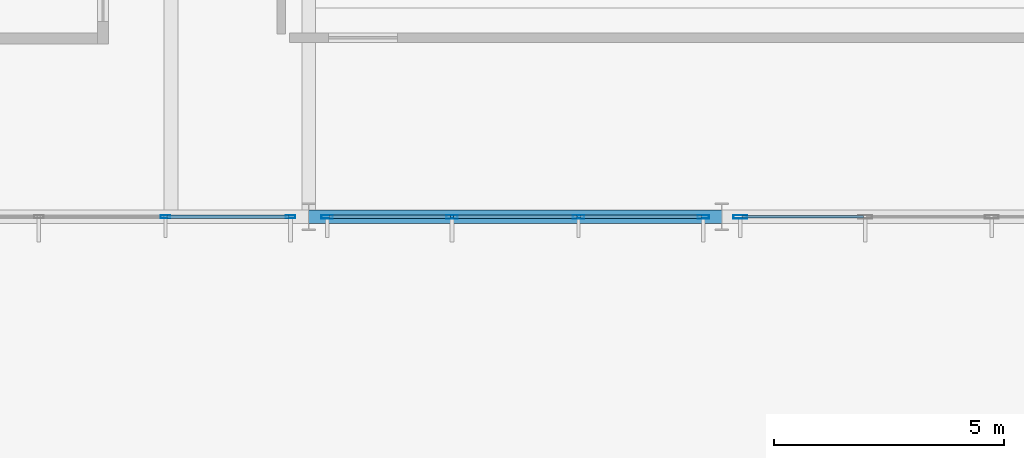
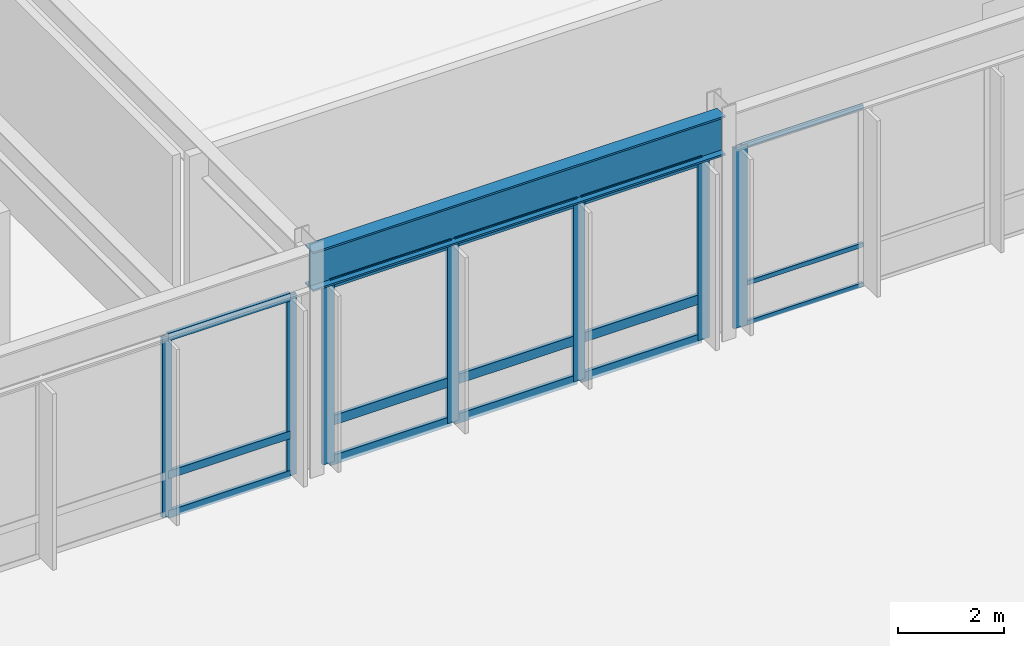
# One storey, part 58 of 143: 22 members, 1 beam, 3 elements without a shape of their own.
"""IFC4 building model written with IfcOpenShell, lengths in metres."""

from ifc_helpers import new_model, si_unit, direction, frame, origin, origin_2d, place, context, subcontext, project, spatial, hollow_rectangle, i_section, extrude, material, layer, layer_set, material_profile, profile_set, type_object, element, aggregate, save


model = new_model("IFC4")

# Units and contexts
model_context = context("Model", 3, precision=1e-05, world=origin(), true_north=direction((0.0, 1.0)))
body_context = subcontext(model_context, "Body", "Model", "MODEL_VIEW")
ifc_project = project(units=[si_unit("LENGTHUNIT", "METRE"), si_unit("AREAUNIT", "SQUARE_METRE"), si_unit("VOLUMEUNIT", "CUBIC_METRE"), si_unit("PLANEANGLEUNIT", "RADIAN"), si_unit("MASSUNIT", "GRAM", prefix="KILO")], contexts=[model_context])

# Site, building, storey
site_placement = place(None, origin())
site = spatial("IfcSite", under=ifc_project, at=site_placement, CompositionType="ELEMENT")
building_placement = place(site_placement, origin())
building = spatial("IfcBuilding", under=site, at=building_placement, Name="Montelvaro Courts of Justice", CompositionType="ELEMENT")
storey_placement = place(building_placement, origin())
storey = spatial("IfcBuildingStorey", under=building, at=storey_placement, Name="L00", CompositionType="ELEMENT", Elevation=0.0)

# Beam
ifc_material_1 = material(Name="Steel S355", Category="steel")
ifc_material_profile_1 = material_profile(ifc_material_1, i_section(OverallWidth=0.302001953125, OverallDepth=0.909912109375, WebThickness=0.02099609375, FlangeThickness=0.0400390625, at=origin_2d()), Name="HEM 900")
ifc_profile_set_1 = profile_set([ifc_material_profile_1], Name="Steel S355")
beam_type = type_object("IfcBeamType", Name="Beam_HEM900", PredefinedType="USERDEFINED", material=ifc_profile_set_1)
beam_placement = place(storey_placement, frame((36.0, 78.0, 4.625), z_axis=(1.0, 0.0, 0.0), x_axis=(0.0, 1.0, 0.0)))
element("IfcBeam", 1, at=beam_placement, inside=storey, type_object=beam_type, Name="Beam B-31 L00", ObjectType="GIRDER", PredefinedType="USERDEFINED", context=body_context, shape_type="SweptSolid", body=[
    extrude(i_section(OverallWidth=0.302001953125, OverallDepth=0.909912109375, WebThickness=0.02099609375, FlangeThickness=0.0400390625, at=origin_2d()), origin(), (0.0, 0.0, 1.0), 9.0),
])

# Curtain wall, members
ifc_material_2 = material(Name="Anodised aluminium EN AW-6063", Category="aluminium")
ifc_layer = layer(ifc_material_2, 0.159912109375)
ifc_layer_set = layer_set([ifc_layer], Name="Anodised aluminium EN AW-6063")
curtain_wall_type = type_object("IfcCurtainWallType", Name="CurtainWall_01_827x508", PredefinedType="USERDEFINED", material=ifc_layer_set)
curtain_wall_1_placement = place(storey_placement, origin())
curtain_wall_1 = element("IfcCurtainWall", 2, at=curtain_wall_1_placement, inside=storey, type_object=curtain_wall_type, Name="Curtain Wall CW-01 (L00)", ObjectType="CURTAIN WALL", PredefinedType="USERDEFINED")
ifc_material_profile_2 = material_profile(ifc_material_2, hollow_rectangle(XDim=0.06494140625, YDim=0.2099609375, WallThickness=0.0048828125, at=origin_2d()), Name="ALU-M 65x210")
ifc_profile_set_2 = profile_set([ifc_material_profile_2], Name="Anodised aluminium EN AW-6063")
member_type_1 = type_object("IfcMemberType", Name="CurtainWall_Mullion_65x210", PredefinedType="MULLION", material=ifc_profile_set_2)
member_1_placement = place(storey_placement, frame((32.87841796875, 78.0, 0.0), z_axis=(0.0, 0.0, 1.0), x_axis=(0.0, 1.0, 0.0)))
member_1 = element("IfcMember", 3, at=member_1_placement, type_object=member_type_1, Name="CW-01 mullion 3", PredefinedType="MULLION", context=body_context, shape_type="SweptSolid", body=[
    extrude(hollow_rectangle(XDim=0.06494140625, YDim=0.2099609375, WallThickness=0.0048828125, at=origin_2d()), origin(), (0.0, 0.0, 1.0), 4.1650390625),
])
member_2_placement = place(storey_placement, frame((35.6025390625, 78.0, 0.0), z_axis=(0.0, 0.0, 1.0), x_axis=(0.0, 1.0, 0.0)))
member_2 = element("IfcMember", 4, at=member_2_placement, type_object=member_type_1, Name="CW-01 mullion 4", PredefinedType="MULLION", context=body_context, shape_type="SweptSolid", body=[
    extrude(hollow_rectangle(XDim=0.06494140625, YDim=0.2099609375, WallThickness=0.0048828125, at=origin_2d()), origin(), (0.0, 0.0, 1.0), 4.1650390625),
])

curtain_wall_2_placement = place(storey_placement, origin())
curtain_wall_2 = element("IfcCurtainWall", 5, at=curtain_wall_2_placement, inside=storey, type_object=curtain_wall_type, Name="Curtain Wall CW-01 (L00)", ObjectType="CURTAIN WALL", PredefinedType="USERDEFINED")
ifc_material_profile_3 = material_profile(ifc_material_2, hollow_rectangle(XDim=0.074951171875, YDim=0.25, WallThickness=0.005615234375, at=origin_2d()), Name="ALU-M 75x250")
ifc_profile_set_3 = profile_set([ifc_material_profile_3], Name="Anodised aluminium EN AW-6063")
member_type_2 = type_object("IfcMemberType", Name="CurtainWall_Mullion_75x250", PredefinedType="MULLION", material=ifc_profile_set_3)
member_3_placement = place(storey_placement, frame((36.402587890625, 78.0, 0.0), z_axis=(0.0, 0.0, 1.0), x_axis=(0.0, 1.0, 0.0)))
member_3 = element("IfcMember", 6, at=member_3_placement, type_object=member_type_2, Name="CW-01 mullion 1", PredefinedType="MULLION", context=body_context, shape_type="SweptSolid", body=[
    extrude(hollow_rectangle(XDim=0.074951171875, YDim=0.25, WallThickness=0.005615234375, at=origin_2d()), origin(), (0.0, 0.0, 1.0), 4.1650390625),
])
member_4_placement = place(storey_placement, frame((39.12158203125, 78.0, 0.0), z_axis=(0.0, 0.0, 1.0), x_axis=(0.0, 1.0, 0.0)))
member_4 = element("IfcMember", 7, at=member_4_placement, type_object=member_type_2, Name="CW-01 mullion 2", PredefinedType="MULLION", context=body_context, shape_type="SweptSolid", body=[
    extrude(hollow_rectangle(XDim=0.074951171875, YDim=0.25, WallThickness=0.005615234375, at=origin_2d()), origin(), (0.0, 0.0, 1.0), 4.1650390625),
])
member_5_placement = place(storey_placement, frame((41.87841796875, 78.0, 0.0), z_axis=(0.0, 0.0, 1.0), x_axis=(0.0, 1.0, 0.0)))
member_5 = element("IfcMember", 8, at=member_5_placement, type_object=member_type_2, Name="CW-01 mullion 3", PredefinedType="MULLION", context=body_context, shape_type="SweptSolid", body=[
    extrude(hollow_rectangle(XDim=0.074951171875, YDim=0.25, WallThickness=0.005615234375, at=origin_2d()), origin(), (0.0, 0.0, 1.0), 4.1650390625),
])
member_6_placement = place(storey_placement, frame((44.597412109375, 78.0, 0.0), z_axis=(0.0, 0.0, 1.0), x_axis=(0.0, 1.0, 0.0)))
member_6 = element("IfcMember", 9, at=member_6_placement, type_object=member_type_2, Name="CW-01 mullion 4", PredefinedType="MULLION", context=body_context, shape_type="SweptSolid", body=[
    extrude(hollow_rectangle(XDim=0.074951171875, YDim=0.25, WallThickness=0.005615234375, at=origin_2d()), origin(), (0.0, 0.0, 1.0), 4.1650390625),
])

curtain_wall_3_placement = place(storey_placement, origin())
curtain_wall_3 = element("IfcCurtainWall", 10, at=curtain_wall_3_placement, inside=storey, type_object=curtain_wall_type, Name="Curtain Wall CW-01 (L00)", ObjectType="CURTAIN WALL", PredefinedType="USERDEFINED")
ifc_material_profile_4 = material_profile(ifc_material_2, hollow_rectangle(XDim=0.074951171875, YDim=0.300048828125, WallThickness=0.006103515625, at=origin_2d()), Name="ALU-M 75x300")
ifc_profile_set_4 = profile_set([ifc_material_profile_4], Name="Anodised aluminium EN AW-6063")
member_type_3 = type_object("IfcMemberType", Name="CurtainWall_Mullion_75x300", PredefinedType="MULLION", material=ifc_profile_set_4)
member_7_placement = place(storey_placement, frame((45.402587890625, 78.0, 0.0), z_axis=(0.0, 0.0, 1.0), x_axis=(0.0, 1.0, 0.0)))
member_7 = element("IfcMember", 11, at=member_7_placement, type_object=member_type_3, Name="CW-01 mullion 1", PredefinedType="MULLION", context=body_context, shape_type="SweptSolid", body=[
    extrude(hollow_rectangle(XDim=0.074951171875, YDim=0.300048828125, WallThickness=0.006103515625, at=origin_2d()), origin(), (0.0, 0.0, 1.0), 4.1650390625),
])
ifc_material_profile_5 = material_profile(ifc_material_2, hollow_rectangle(XDim=0.06005859375, YDim=0.10009765625, WallThickness=0.00341796875, at=origin_2d()), Name="ALU-T 60x100")
ifc_profile_set_5 = profile_set([ifc_material_profile_5], Name="Anodised aluminium EN AW-6063")
member_type_4 = type_object("IfcMemberType", Name="CurtainWall_Transom_60x100", PredefinedType="USERDEFINED", material=ifc_profile_set_5)
member_8_placement = place(storey_placement, frame((45.43994140625, 78.0, 0.030029296875), z_axis=(1.0, 0.0, 0.0), x_axis=(0.0, 1.0, 0.0)))
member_8 = element("IfcMember", 12, at=member_8_placement, type_object=member_type_4, Name="CW-01 transom 1.1", ObjectType="TRANSOM", PredefinedType="USERDEFINED", context=body_context, shape_type="SweptSolid", body=[
    extrude(hollow_rectangle(XDim=0.06005859375, YDim=0.10009765625, WallThickness=0.00341796875, at=origin_2d()), origin(), (0.0, 0.0, 1.0), 2.644287109375),
])
member_9_placement = place(storey_placement, frame((45.43994140625, 78.0, 0.949951171875), z_axis=(1.0, 0.0, 0.0), x_axis=(0.0, 1.0, 0.0)))
member_9 = element("IfcMember", 13, at=member_9_placement, type_object=member_type_4, Name="CW-01 transom 1.2", ObjectType="TRANSOM", PredefinedType="USERDEFINED", context=body_context, shape_type="SweptSolid", body=[
    extrude(hollow_rectangle(XDim=0.06005859375, YDim=0.10009765625, WallThickness=0.00341796875, at=origin_2d()), origin(), (0.0, 0.0, 1.0), 2.644287109375),
])
member_10_placement = place(storey_placement, frame((45.43994140625, 78.0, 4.135009765625), z_axis=(1.0, 0.0, 0.0), x_axis=(0.0, 1.0, 0.0)))
member_10 = element("IfcMember", 14, at=member_10_placement, type_object=member_type_4, Name="CW-01 transom 1.3", ObjectType="TRANSOM", PredefinedType="USERDEFINED", context=body_context, shape_type="SweptSolid", body=[
    extrude(hollow_rectangle(XDim=0.06005859375, YDim=0.10009765625, WallThickness=0.00341796875, at=origin_2d()), origin(), (0.0, 0.0, 1.0), 2.644287109375),
])
aggregate(curtain_wall_3, [member_7, member_8, member_9, member_10])

# Member
ifc_material_profile_6 = material_profile(ifc_material_2, hollow_rectangle(XDim=0.074951171875, YDim=0.179931640625, WallThickness=0.0048828125, at=origin_2d()), Name="ALU-T 75x180")
ifc_profile_set_6 = profile_set([ifc_material_profile_6], Name="Anodised aluminium EN AW-6063")
member_type_5 = type_object("IfcMemberType", Name="CurtainWall_Transom_75x180", PredefinedType="USERDEFINED", material=ifc_profile_set_6)
member_11_placement = place(storey_placement, frame((32.910888671875, 78.0, 0.03759765625), z_axis=(1.0, 0.0, 0.0), x_axis=(0.0, 1.0, 0.0)))
member_11 = element("IfcMember", 15, at=member_11_placement, type_object=member_type_5, Name="CW-01 transom 3.1", ObjectType="TRANSOM", PredefinedType="USERDEFINED", context=body_context, shape_type="SweptSolid", body=[
    extrude(hollow_rectangle(XDim=0.074951171875, YDim=0.179931640625, WallThickness=0.0048828125, at=origin_2d()), origin(), (0.0, 0.0, 1.0), 2.6591796875),
])

member_12_placement = place(storey_placement, frame((32.910888671875, 78.0, 0.949951171875), z_axis=(1.0, 0.0, 0.0), x_axis=(0.0, 1.0, 0.0)))
member_12 = element("IfcMember", 16, at=member_12_placement, type_object=member_type_5, Name="CW-01 transom 3.2", ObjectType="TRANSOM", PredefinedType="USERDEFINED", context=body_context, shape_type="SweptSolid", body=[
    extrude(hollow_rectangle(XDim=0.074951171875, YDim=0.179931640625, WallThickness=0.0048828125, at=origin_2d()), origin(), (0.0, 0.0, 1.0), 2.6591796875),
])

member_13_placement = place(storey_placement, frame((32.910888671875, 78.0, 4.12744140625), z_axis=(1.0, 0.0, 0.0), x_axis=(0.0, 1.0, 0.0)))
member_13 = element("IfcMember", 17, at=member_13_placement, type_object=member_type_5, Name="CW-01 transom 3.3", ObjectType="TRANSOM", PredefinedType="USERDEFINED", context=body_context, shape_type="SweptSolid", body=[
    extrude(hollow_rectangle(XDim=0.074951171875, YDim=0.179931640625, WallThickness=0.0048828125, at=origin_2d()), origin(), (0.0, 0.0, 1.0), 2.6591796875),
])

aggregate(curtain_wall_1, [member_1, member_2, member_11, member_12, member_13])

ifc_material_profile_7 = material_profile(ifc_material_2, hollow_rectangle(XDim=0.074951171875, YDim=0.219970703125, WallThickness=0.005615234375, at=origin_2d()), Name="ALU-T 75x220")
ifc_profile_set_7 = profile_set([ifc_material_profile_7], Name="Anodised aluminium EN AW-6063")
member_type_6 = type_object("IfcMemberType", Name="CurtainWall_Transom_75x220", PredefinedType="USERDEFINED", material=ifc_profile_set_7)
member_14_placement = place(storey_placement, frame((36.43994140625, 78.0, 0.03759765625), z_axis=(1.0, 0.0, 0.0), x_axis=(0.0, 1.0, 0.0)))
member_14 = element("IfcMember", 18, at=member_14_placement, type_object=member_type_6, Name="CW-01 transom 1.1", ObjectType="TRANSOM", PredefinedType="USERDEFINED", context=body_context, shape_type="SweptSolid", body=[
    extrude(hollow_rectangle(XDim=0.074951171875, YDim=0.219970703125, WallThickness=0.005615234375, at=origin_2d()), origin(), (0.0, 0.0, 1.0), 2.644287109375),
])

member_15_placement = place(storey_placement, frame((36.43994140625, 78.0, 0.949951171875), z_axis=(1.0, 0.0, 0.0), x_axis=(0.0, 1.0, 0.0)))
member_15 = element("IfcMember", 19, at=member_15_placement, type_object=member_type_6, Name="CW-01 transom 1.2", ObjectType="TRANSOM", PredefinedType="USERDEFINED", context=body_context, shape_type="SweptSolid", body=[
    extrude(hollow_rectangle(XDim=0.074951171875, YDim=0.219970703125, WallThickness=0.005615234375, at=origin_2d()), origin(), (0.0, 0.0, 1.0), 2.644287109375),
])

member_16_placement = place(storey_placement, frame((36.43994140625, 78.0, 4.12744140625), z_axis=(1.0, 0.0, 0.0), x_axis=(0.0, 1.0, 0.0)))
member_16 = element("IfcMember", 20, at=member_16_placement, type_object=member_type_6, Name="CW-01 transom 1.3", ObjectType="TRANSOM", PredefinedType="USERDEFINED", context=body_context, shape_type="SweptSolid", body=[
    extrude(hollow_rectangle(XDim=0.074951171875, YDim=0.219970703125, WallThickness=0.005615234375, at=origin_2d()), origin(), (0.0, 0.0, 1.0), 2.644287109375),
])

member_17_placement = place(storey_placement, frame((39.1591796875, 78.0, 0.03759765625), z_axis=(1.0, 0.0, 0.0), x_axis=(0.0, 1.0, 0.0)))
member_17 = element("IfcMember", 21, at=member_17_placement, type_object=member_type_6, Name="CW-01 transom 2.1", ObjectType="TRANSOM", PredefinedType="USERDEFINED", context=body_context, shape_type="SweptSolid", body=[
    extrude(hollow_rectangle(XDim=0.074951171875, YDim=0.219970703125, WallThickness=0.005615234375, at=origin_2d()), origin(), (0.0, 0.0, 1.0), 2.681640625),
])

member_18_placement = place(storey_placement, frame((39.1591796875, 78.0, 0.949951171875), z_axis=(1.0, 0.0, 0.0), x_axis=(0.0, 1.0, 0.0)))
member_18 = element("IfcMember", 22, at=member_18_placement, type_object=member_type_6, Name="CW-01 transom 2.2", ObjectType="TRANSOM", PredefinedType="USERDEFINED", context=body_context, shape_type="SweptSolid", body=[
    extrude(hollow_rectangle(XDim=0.074951171875, YDim=0.219970703125, WallThickness=0.005615234375, at=origin_2d()), origin(), (0.0, 0.0, 1.0), 2.681640625),
])

member_19_placement = place(storey_placement, frame((39.1591796875, 78.0, 4.12744140625), z_axis=(1.0, 0.0, 0.0), x_axis=(0.0, 1.0, 0.0)))
member_19 = element("IfcMember", 23, at=member_19_placement, type_object=member_type_6, Name="CW-01 transom 2.3", ObjectType="TRANSOM", PredefinedType="USERDEFINED", context=body_context, shape_type="SweptSolid", body=[
    extrude(hollow_rectangle(XDim=0.074951171875, YDim=0.219970703125, WallThickness=0.005615234375, at=origin_2d()), origin(), (0.0, 0.0, 1.0), 2.681640625),
])

member_20_placement = place(storey_placement, frame((41.915771484375, 78.0, 0.03759765625), z_axis=(1.0, 0.0, 0.0), x_axis=(0.0, 1.0, 0.0)))
member_20 = element("IfcMember", 24, at=member_20_placement, type_object=member_type_6, Name="CW-01 transom 3.1", ObjectType="TRANSOM", PredefinedType="USERDEFINED", context=body_context, shape_type="SweptSolid", body=[
    extrude(hollow_rectangle(XDim=0.074951171875, YDim=0.219970703125, WallThickness=0.005615234375, at=origin_2d()), origin(), (0.0, 0.0, 1.0), 2.644287109375),
])

member_21_placement = place(storey_placement, frame((41.915771484375, 78.0, 0.949951171875), z_axis=(1.0, 0.0, 0.0), x_axis=(0.0, 1.0, 0.0)))
member_21 = element("IfcMember", 25, at=member_21_placement, type_object=member_type_6, Name="CW-01 transom 3.2", ObjectType="TRANSOM", PredefinedType="USERDEFINED", context=body_context, shape_type="SweptSolid", body=[
    extrude(hollow_rectangle(XDim=0.074951171875, YDim=0.219970703125, WallThickness=0.005615234375, at=origin_2d()), origin(), (0.0, 0.0, 1.0), 2.644287109375),
])

member_22_placement = place(storey_placement, frame((41.915771484375, 78.0, 4.12744140625), z_axis=(1.0, 0.0, 0.0), x_axis=(0.0, 1.0, 0.0)))
member_22 = element("IfcMember", 26, at=member_22_placement, type_object=member_type_6, Name="CW-01 transom 3.3", ObjectType="TRANSOM", PredefinedType="USERDEFINED", context=body_context, shape_type="SweptSolid", body=[
    extrude(hollow_rectangle(XDim=0.074951171875, YDim=0.219970703125, WallThickness=0.005615234375, at=origin_2d()), origin(), (0.0, 0.0, 1.0), 2.644287109375),
])

aggregate(curtain_wall_2, [member_3, member_4, member_5, member_6, member_14, member_15, member_16, member_17, member_18, member_19, member_20, member_21, member_22])

save(model, "model.ifc")
